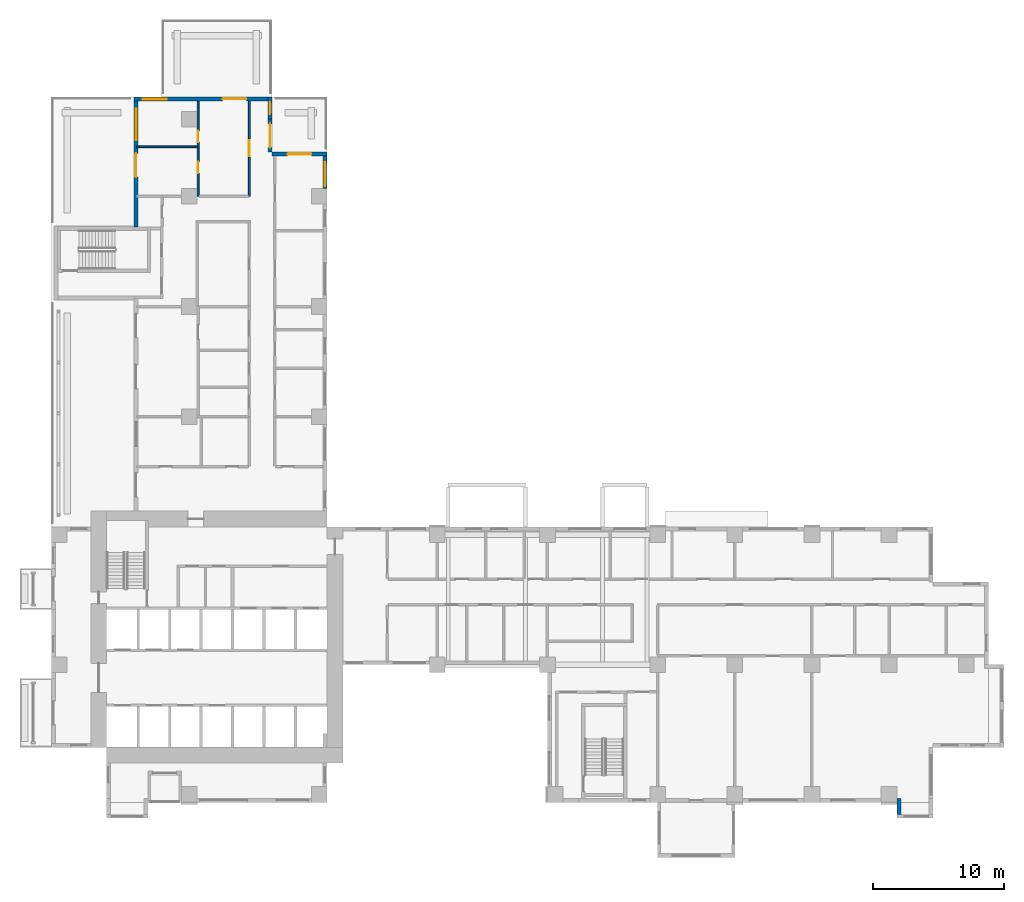
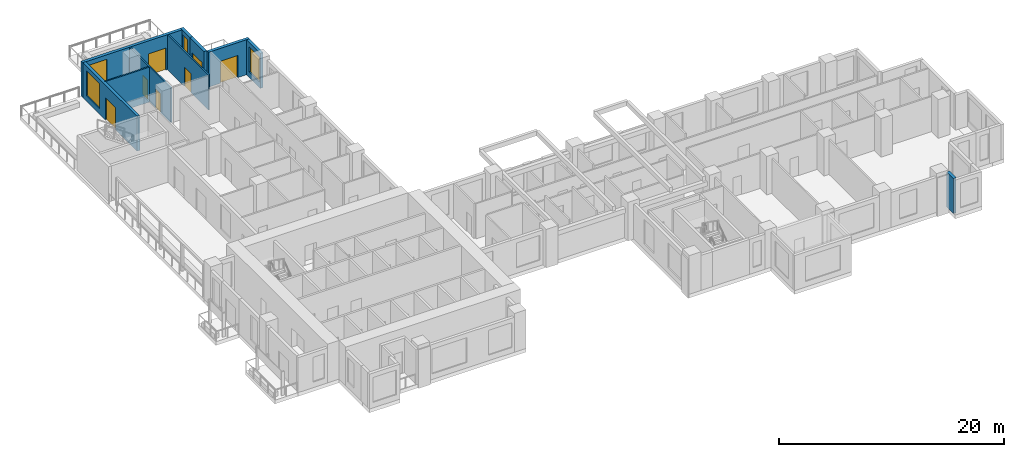
# One storey, part 11 of 18: 10 walls, 7 doors, 4 windows, 11 openings.
"""IFC4 building model written with IfcOpenShell, lengths in metres."""

from ifc_helpers import new_model, si_unit, direction, frame, frame_2d, origin, place, context, subcontext, project, spatial, rectangle, extrude, source, transform, mapped, material, layer, layer_set, type_object, element, fill, save


model = new_model("IFC4")

# Units and contexts
model_context = context("Model", 3, precision=1e-05, world=origin(), true_north=direction((0.0, 1.0)))
body_context = subcontext(model_context, "Body", "Model", "MODEL_VIEW")
ifc_project = project(units=[si_unit("LENGTHUNIT", "METRE"), si_unit("AREAUNIT", "SQUARE_METRE"), si_unit("VOLUMEUNIT", "CUBIC_METRE"), si_unit("PLANEANGLEUNIT", "RADIAN"), si_unit("MASSUNIT", "GRAM", prefix="KILO")], contexts=[model_context])

# Site, building, storey
site_placement = place(None, origin())
site = spatial("IfcSite", under=ifc_project, at=site_placement, CompositionType="ELEMENT")
building_placement = place(site_placement, origin())
building = spatial("IfcBuilding", under=site, at=building_placement, Name="Aurelian Terraces", CompositionType="ELEMENT")
storey_placement = place(building_placement, frame((0.0, 0.0, 99.3)))
storey = spatial("IfcBuildingStorey", under=building, at=storey_placement, Name="L21", CompositionType="ELEMENT", Elevation=99.3)

# Wall, openings, door, window
ifc_material_1 = material(Name="Terracotta rainscreen cladding", Category="masonry")
ifc_layer_1 = layer(ifc_material_1, 0.3)
ifc_layer_set_1 = layer_set([ifc_layer_1], Name="EW-300")
wall_type_1 = type_object("IfcWallType", Name="EW-300", PredefinedType="STANDARD", material=ifc_layer_set_1)
wall_1_placement = place(storey_placement, frame((16.8, 53.61, 0.0), z_axis=(0.0, 0.0, 1.0), x_axis=(-1.0, 0.0, 0.0)))
wall_1 = element("IfcWall", 1, at=wall_1_placement, inside=storey, type_object=wall_type_1, Name="External wall L21 F15.30", PredefinedType="STANDARD", context=body_context, shape_type="SweptSolid", body=[
    extrude(rectangle(XDim=10.5, YDim=0.3, at=frame_2d((5.25, 0.0))), origin(), (0.0, 0.0, 1.0), 3.8),
])
shared_shape_1 = source(origin(), body_context, "Body", "SweptSolid", [
    extrude(rectangle(XDim=1.8, YDim=2.4, at=frame_2d((0.9, 1.2))), frame((0.0, 0.16, 0.0), z_axis=(0.0, -1.0, 0.0), x_axis=(1.0, 0.0, 0.0)), (0.0, 0.0, 1.0), 0.32),
])
opening_1_placement = place(wall_1_placement, frame((1.95, 0.0, 0.0)))
opening_1 = element("IfcOpeningElement", 2, at=opening_1_placement, cuts=wall_1, Name="Opening 82104", PredefinedType="OPENING", context=body_context, shape_type="MappedRepresentation", body=[
    mapped(shared_shape_1, transform((0.0, 0.0, 0.0), scale=1.0)),
])
shared_shape_2 = source(origin(), body_context, "Body", "SweptSolid", [
    extrude(rectangle(XDim=1.8, YDim=2.7, at=frame_2d((0.9, 1.35))), frame((0.0, 0.16, 0.0), z_axis=(0.0, -1.0, 0.0), x_axis=(1.0, 0.0, 0.0)), (0.0, 0.0, 1.0), 0.32),
])
opening_2_placement = place(wall_1_placement, frame((8.025, 0.0, 0.6)))
opening_2 = element("IfcOpeningElement", 3, at=opening_2_placement, cuts=wall_1, Name="Opening W1827", PredefinedType="OPENING", context=body_context, shape_type="MappedRepresentation", body=[
    mapped(shared_shape_2, transform((0.0, 0.0, 0.0), scale=1.0)),
])
ifc_material_2 = material(Name="Clear glazing", Category="glass")
door_type_1 = type_object("IfcDoorType", Name="BD-1800x2400", OperationType="SLIDING_TO_LEFT", PredefinedType="DOOR", material=ifc_material_2)
shared_shape_3 = source(origin(), body_context, "Body", "SweptSolid", [
    extrude(rectangle(XDim=1.8, YDim=2.4, at=frame_2d((0.9, 1.2))), frame((0.0, 0.025, 0.0), z_axis=(0.0, -1.0, 0.0), x_axis=(1.0, 0.0, 0.0)), (0.0, 0.0, 1.0), 0.05),
])
door_1_placement = place(opening_1_placement, origin())
door_1 = element("IfcDoor", 4, at=door_1_placement, inside=storey, type_object=door_type_1, Name="Terrace door L21 L21-F15-30.1", OperationType="SLIDING_TO_LEFT", OverallHeight=2.4, OverallWidth=1.8, PredefinedType="DOOR", context=body_context, shape_type="MappedRepresentation", body=[
    mapped(shared_shape_3, transform((0.0, 0.0, 0.0), scale=1.0)),
])
fill(opening_1, door_1)
window_type_1 = type_object("IfcWindowType", Name="W-1800x2700", PartitioningType="SINGLE_PANEL", PredefinedType="WINDOW", material=ifc_material_2)
shared_shape_4 = source(origin(), body_context, "Body", "SweptSolid", [
    extrude(rectangle(XDim=1.8, YDim=2.7, at=frame_2d((0.9, 1.35))), frame((0.0, 0.03, 0.0), z_axis=(0.0, -1.0, 0.0), x_axis=(1.0, 0.0, 0.0)), (0.0, 0.0, 1.0), 0.06),
])
window_1_placement = place(opening_2_placement, origin())
window_1 = element("IfcWindow", 5, at=window_1_placement, inside=storey, type_object=window_type_1, Name="Window L21 L21-F15-30-2", OverallHeight=2.7, OverallWidth=1.8, PartitioningType="SINGLE_PANEL", PredefinedType="WINDOW", context=body_context, shape_type="MappedRepresentation", body=[
    mapped(shared_shape_4, transform((0.0, 0.0, 0.0), scale=1.0)),
])
fill(opening_2, window_1)

wall_2_placement = place(storey_placement, frame((6.45, 53.76, 0.0), z_axis=(0.0, 0.0, 1.0), x_axis=(0.0, -1.0, 0.0)))
wall_2 = element("IfcWall", 6, at=wall_2_placement, inside=storey, type_object=wall_type_1, Name="External wall L21 F16.31", PredefinedType="STANDARD", context=body_context, shape_type="SweptSolid", body=[
    extrude(rectangle(XDim=9.91, YDim=0.3, at=frame_2d((4.955, 0.0))), origin(), (0.0, 0.0, 1.0), 3.8),
])
opening_3_placement = place(wall_2_placement, frame((4.29, 0.0, 0.0)))
opening_3 = element("IfcOpeningElement", 7, at=opening_3_placement, cuts=wall_2, Name="Opening 82105", PredefinedType="OPENING", context=body_context, shape_type="MappedRepresentation", body=[
    mapped(shared_shape_1, transform((0.0, 0.0, 0.0), scale=1.0)),
])
shared_shape_5 = source(origin(), body_context, "Body", "SweptSolid", [
    extrude(rectangle(XDim=2.4, YDim=2.7, at=frame_2d((1.2, 1.35))), frame((0.0, 0.16, 0.0), z_axis=(0.0, -1.0, 0.0), x_axis=(1.0, 0.0, 0.0)), (0.0, 0.0, 1.0), 0.32),
])
opening_4_placement = place(wall_2_placement, frame((0.895, 0.0, 0.6)))
opening_4 = element("IfcOpeningElement", 8, at=opening_4_placement, cuts=wall_2, Name="Opening W2427", PredefinedType="OPENING", context=body_context, shape_type="MappedRepresentation", body=[
    mapped(shared_shape_5, transform((0.0, 0.0, 0.0), scale=1.0)),
])
door_2_placement = place(opening_3_placement, origin())
door_2 = element("IfcDoor", 9, at=door_2_placement, inside=storey, type_object=door_type_1, Name="Terrace door L21 L21-F16-31.2", OperationType="SLIDING_TO_LEFT", OverallHeight=2.4, OverallWidth=1.8, PredefinedType="DOOR", context=body_context, shape_type="MappedRepresentation", body=[
    mapped(shared_shape_3, transform((0.0, 0.0, 0.0), scale=1.0)),
])
fill(opening_3, door_2)
window_type_2 = type_object("IfcWindowType", Name="W-2400x2700", PartitioningType="SINGLE_PANEL", PredefinedType="WINDOW", material=ifc_material_2)
shared_shape_6 = source(origin(), body_context, "Body", "SweptSolid", [
    extrude(rectangle(XDim=2.4, YDim=2.7, at=frame_2d((1.2, 1.35))), frame((0.0, 0.03, 0.0), z_axis=(0.0, -1.0, 0.0), x_axis=(1.0, 0.0, 0.0)), (0.0, 0.0, 1.0), 0.06),
])
window_2_placement = place(opening_4_placement, origin())
window_2 = element("IfcWindow", 10, at=window_2_placement, inside=storey, type_object=window_type_2, Name="Window L21 L21-F16-31-G0-0", OverallHeight=2.7, OverallWidth=2.4, PartitioningType="SINGLE_PANEL", PredefinedType="WINDOW", context=body_context, shape_type="MappedRepresentation", body=[
    mapped(shared_shape_6, transform((0.0, 0.0, 0.0), scale=1.0)),
])
fill(opening_4, window_2)

# Wall
ifc_material_3 = material(Name="Gypsum board on steel studs", Category="steel")
ifc_layer_2 = layer(ifc_material_3, 0.15)
ifc_layer_set_2 = layer_set([ifc_layer_2], Name="Partition 150")
wall_type_2 = type_object("IfcWallType", Name="Partition 150", PredefinedType="PARTITIONING", material=ifc_layer_set_2)
wall_3_placement = place(storey_placement, frame((11.1, 49.98, 0.0), z_axis=(0.0, 0.0, 1.0), x_axis=(-1.0, 0.0, 0.0)))
element("IfcWall", 11, at=wall_3_placement, inside=storey, type_object=wall_type_2, Name="Partition", PredefinedType="PARTITIONING", context=body_context, shape_type="SweptSolid", body=[
    extrude(rectangle(XDim=4.595, YDim=0.15, at=frame_2d((2.2975, 0.0))), origin(), (0.0, 0.0, 1.0), 3.8),
])

# Wall, openings, doors
wall_4_placement = place(storey_placement, frame((11.175, 46.2, 0.0), z_axis=(0.0, 0.0, 1.0), x_axis=(0.0, 1.0, 0.0)))
wall_4 = element("IfcWall", 12, at=wall_4_placement, inside=storey, type_object=wall_type_2, Name="Partition", PredefinedType="PARTITIONING", context=body_context, shape_type="SweptSolid", body=[
    extrude(rectangle(XDim=7.26, YDim=0.15, at=frame_2d((3.63, 0.0))), origin(), (0.0, 0.0, 1.0), 3.8),
])
shared_shape_7 = source(origin(), body_context, "Body", "SweptSolid", [
    extrude(rectangle(XDim=0.9, YDim=2.1, at=frame_2d((0.45, 1.05))), frame((0.0, 0.085, 0.0), z_axis=(0.0, -1.0, 0.0), x_axis=(1.0, 0.0, 0.0)), (0.0, 0.0, 1.0), 0.17),
])
opening_5_placement = place(wall_4_placement, frame((1.7525, 0.0, 0.0)))
opening_5 = element("IfcOpeningElement", 13, at=opening_5_placement, cuts=wall_4, Name="Opening 721034", PredefinedType="OPENING", context=body_context, shape_type="MappedRepresentation", body=[
    mapped(shared_shape_7, transform((0.0, 0.0, 0.0), scale=1.0)),
])
opening_6_placement = place(wall_4_placement, frame((4.1175, 0.0, 0.0)))
opening_6 = element("IfcOpeningElement", 14, at=opening_6_placement, cuts=wall_4, Name="Opening 721035", PredefinedType="OPENING", context=body_context, shape_type="MappedRepresentation", body=[
    mapped(shared_shape_7, transform((0.0, 0.0, 0.0), scale=1.0)),
])
ifc_material_4 = material(Name="Timber door leaf", Category="wood")
door_type_2 = type_object("IfcDoorType", Name="Room door 900x2100 left", OperationType="SINGLE_SWING_LEFT", PredefinedType="DOOR", material=ifc_material_4)
shared_shape_8 = source(origin(), body_context, "Body", "SweptSolid", [
    extrude(rectangle(XDim=0.9, YDim=2.1, at=frame_2d((0.45, 1.05))), frame((0.0, 0.025, 0.0), z_axis=(0.0, -1.0, 0.0), x_axis=(1.0, 0.0, 0.0)), (0.0, 0.0, 1.0), 0.05),
])
door_3_placement = place(opening_5_placement, origin())
door_3 = element("IfcDoor", 15, at=door_3_placement, inside=storey, type_object=door_type_2, Name="Door 721034", OperationType="SINGLE_SWING_LEFT", OverallHeight=2.1, OverallWidth=0.9, PredefinedType="DOOR", context=body_context, shape_type="MappedRepresentation", body=[
    mapped(shared_shape_8, transform((0.0, 0.0, 0.0), scale=1.0)),
])
fill(opening_5, door_3)
door_type_3 = type_object("IfcDoorType", Name="Room door 900x2100 right", OperationType="SINGLE_SWING_RIGHT", PredefinedType="DOOR", material=ifc_material_4)
door_4_placement = place(opening_6_placement, origin())
door_4 = element("IfcDoor", 16, at=door_4_placement, inside=storey, type_object=door_type_3, Name="Door 721035", OperationType="SINGLE_SWING_RIGHT", OverallHeight=2.1, OverallWidth=0.9, PredefinedType="DOOR", context=body_context, shape_type="MappedRepresentation", body=[
    mapped(shared_shape_8, transform((0.0, 0.0, 0.0), scale=1.0)),
])
fill(opening_6, door_4)

# Wall, opening, door
shared_shape_9 = source(origin(), body_context, "Body", "SweptSolid", [
    extrude(rectangle(XDim=4.2, YDim=0.3, at=frame_2d((2.1, 0.0))), origin(), (0.0, 0.0, 1.0), 3.8),
])
wall_5_placement = place(storey_placement, frame((21.0, 49.41, 0.0), z_axis=(0.0, 0.0, 1.0), x_axis=(-1.0, 0.0, 0.0)))
wall_5 = element("IfcWall", 17, at=wall_5_placement, inside=storey, type_object=wall_type_1, Name="External wall L21 F13.27", PredefinedType="STANDARD", context=body_context, shape_type="MappedRepresentation", body=[
    mapped(shared_shape_9, transform((0.0, 0.0, 0.0), scale=1.0)),
])
opening_7_placement = place(wall_5_placement, frame((1.2, 0.0, 0.0)))
opening_7 = element("IfcOpeningElement", 18, at=opening_7_placement, cuts=wall_5, Name="Opening 82102", PredefinedType="OPENING", context=body_context, shape_type="MappedRepresentation", body=[
    mapped(shared_shape_1, transform((0.0, 0.0, 0.0), scale=1.0)),
])
door_5_placement = place(opening_7_placement, origin())
door_5 = element("IfcDoor", 19, at=door_5_placement, inside=storey, type_object=door_type_1, Name="Terrace door L21 L21-F13-27.1", OperationType="SLIDING_TO_LEFT", OverallHeight=2.4, OverallWidth=1.8, PredefinedType="DOOR", context=body_context, shape_type="MappedRepresentation", body=[
    mapped(shared_shape_3, transform((0.0, 0.0, 0.0), scale=1.0)),
])
fill(opening_7, door_5)

# Wall, opening, window
shared_shape_10 = source(origin(), body_context, "Body", "SweptSolid", [
    extrude(rectangle(XDim=2.76, YDim=0.3, at=frame_2d((1.38, 0.0))), origin(), (0.0, 0.0, 1.0), 3.8),
])
wall_6_placement = place(storey_placement, frame((20.85, 46.8, 0.0), z_axis=(0.0, 0.0, 1.0), x_axis=(0.0, 1.0, 0.0)))
wall_6 = element("IfcWall", 20, at=wall_6_placement, inside=storey, type_object=wall_type_1, Name="External wall L21 F12.26", PredefinedType="STANDARD", context=body_context, shape_type="MappedRepresentation", body=[
    mapped(shared_shape_10, transform((0.0, 0.0, 0.0), scale=1.0)),
])
opening_8_placement = place(wall_6_placement, frame((0.18, 0.0, 0.6)))
opening_8 = element("IfcOpeningElement", 21, at=opening_8_placement, cuts=wall_6, Name="Opening W1827", PredefinedType="OPENING", context=body_context, shape_type="MappedRepresentation", body=[
    mapped(shared_shape_2, transform((0.0, 0.0, 0.0), scale=1.0)),
])
window_3_placement = place(opening_8_placement, origin())
window_3 = element("IfcWindow", 22, at=window_3_placement, inside=storey, type_object=window_type_1, Name="Window L21 L21-F12-26-0", OverallHeight=2.7, OverallWidth=1.8, PartitioningType="SINGLE_PANEL", PredefinedType="WINDOW", context=body_context, shape_type="MappedRepresentation", body=[
    mapped(shared_shape_4, transform((0.0, 0.0, 0.0), scale=1.0)),
])
fill(opening_8, window_3)

# Wall
shared_shape_11 = source(origin(), body_context, "Body", "SweptSolid", [
    extrude(rectangle(XDim=1.2, YDim=0.3, at=frame_2d((0.6, 0.0))), origin(), (0.0, 0.0, 1.0), 3.8),
])
wall_7_placement = place(storey_placement, frame((64.59, 0.3, 0.0), z_axis=(0.0, 0.0, 1.0), x_axis=(0.0, -1.0, 0.0)))
element("IfcWall", 23, at=wall_7_placement, inside=storey, type_object=wall_type_1, Name="Bay return L21 F05.13.1", PredefinedType="STANDARD", context=body_context, shape_type="MappedRepresentation", body=[
    mapped(shared_shape_11, transform((0.0, 0.0, 0.0), scale=1.0)),
])

# Wall, opening, door
shared_shape_12 = source(origin(), body_context, "Body", "SweptSolid", [
    extrude(rectangle(XDim=2.52, YDim=0.3, at=frame_2d((1.26, 0.0))), origin(), (0.0, 0.0, 1.0), 3.8),
])
wall_8_placement = place(storey_placement, frame((16.65, 49.56, 0.0), z_axis=(0.0, 0.0, 1.0), x_axis=(0.0, 1.0, 0.0)))
wall_8 = element("IfcWall", 24, at=wall_8_placement, inside=storey, type_object=wall_type_1, Name="External wall L21 F14.28", PredefinedType="STANDARD", context=body_context, shape_type="MappedRepresentation", body=[
    mapped(shared_shape_12, transform((0.0, 0.0, 0.0), scale=1.0)),
])
opening_9_placement = place(wall_8_placement, frame((0.36, 0.0, 0.0)))
opening_9 = element("IfcOpeningElement", 25, at=opening_9_placement, cuts=wall_8, Name="Opening 82103", PredefinedType="OPENING", context=body_context, shape_type="MappedRepresentation", body=[
    mapped(shared_shape_1, transform((0.0, 0.0, 0.0), scale=1.0)),
])
door_6_placement = place(opening_9_placement, origin())
door_6 = element("IfcDoor", 26, at=door_6_placement, inside=storey, type_object=door_type_1, Name="Terrace door L21 L21-F14-28.1", OperationType="SLIDING_TO_LEFT", OverallHeight=2.4, OverallWidth=1.8, PredefinedType="DOOR", context=body_context, shape_type="MappedRepresentation", body=[
    mapped(shared_shape_3, transform((0.0, 0.0, 0.0), scale=1.0)),
])
fill(opening_9, door_6)

# Wall, opening, window
shared_shape_13 = source(origin(), body_context, "Body", "SweptSolid", [
    extrude(rectangle(XDim=1.68, YDim=0.3, at=frame_2d((0.84, 0.0))), origin(), (0.0, 0.0, 1.0), 3.8),
])
wall_9_placement = place(storey_placement, frame((16.65, 52.08, 0.0), z_axis=(0.0, 0.0, 1.0), x_axis=(0.0, 1.0, 0.0)))
wall_9 = element("IfcWall", 27, at=wall_9_placement, inside=storey, type_object=wall_type_1, Name="External wall L21 F14.29", PredefinedType="STANDARD", context=body_context, shape_type="MappedRepresentation", body=[
    mapped(shared_shape_13, transform((0.0, 0.0, 0.0), scale=1.0)),
])
shared_shape_14 = source(origin(), body_context, "Body", "SweptSolid", [
    extrude(rectangle(XDim=0.9, YDim=2.7, at=frame_2d((0.45, 1.35))), frame((0.0, 0.16, 0.0), z_axis=(0.0, -1.0, 0.0), x_axis=(1.0, 0.0, 0.0)), (0.0, 0.0, 1.0), 0.32),
])
opening_10_placement = place(wall_9_placement, frame((0.39, 0.0, 0.6)))
opening_10 = element("IfcOpeningElement", 28, at=opening_10_placement, cuts=wall_9, Name="Opening W0927", PredefinedType="OPENING", context=body_context, shape_type="MappedRepresentation", body=[
    mapped(shared_shape_14, transform((0.0, 0.0, 0.0), scale=1.0)),
])
window_type_3 = type_object("IfcWindowType", Name="W-900x2700", PartitioningType="SINGLE_PANEL", PredefinedType="WINDOW", material=ifc_material_2)
shared_shape_15 = source(origin(), body_context, "Body", "SweptSolid", [
    extrude(rectangle(XDim=0.9, YDim=2.7, at=frame_2d((0.45, 1.35))), frame((0.0, 0.03, 0.0), z_axis=(0.0, -1.0, 0.0), x_axis=(1.0, 0.0, 0.0)), (0.0, 0.0, 1.0), 0.06),
])
window_4_placement = place(opening_10_placement, origin())
window_4 = element("IfcWindow", 29, at=window_4_placement, inside=storey, type_object=window_type_3, Name="Window L21 L21-F14-29-P0", OverallHeight=2.7, OverallWidth=0.9, PartitioningType="SINGLE_PANEL", PredefinedType="WINDOW", context=body_context, shape_type="MappedRepresentation", body=[
    mapped(shared_shape_15, transform((0.0, 0.0, 0.0), scale=1.0)),
])
fill(opening_10, window_4)

# Wall, opening, door
ifc_layer_3 = layer(ifc_material_3, 0.15)
ifc_layer_set_3 = layer_set([ifc_layer_3], Name="Fire partition 150")
wall_type_3 = type_object("IfcWallType", Name="Fire partition 150", PredefinedType="PARTITIONING", material=ifc_layer_set_3)
shared_shape_16 = source(origin(), body_context, "Body", "SweptSolid", [
    extrude(rectangle(XDim=7.26, YDim=0.15, at=frame_2d((3.63, 0.0))), origin(), (0.0, 0.0, 1.0), 3.8),
])
wall_10_placement = place(storey_placement, frame((15.075, 46.2, 0.0), z_axis=(0.0, 0.0, 1.0), x_axis=(0.0, 1.0, 0.0)))
wall_10 = element("IfcWall", 30, at=wall_10_placement, inside=storey, type_object=wall_type_3, Name="Corridor wall", PredefinedType="PARTITIONING", context=body_context, shape_type="MappedRepresentation", body=[
    mapped(shared_shape_16, transform((0.0, 0.0, 0.0), scale=1.0)),
])
shared_shape_17 = source(origin(), body_context, "Body", "SweptSolid", [
    extrude(rectangle(XDim=1.2, YDim=2.1, at=frame_2d((0.6, 1.05))), frame((0.0, 0.085, 0.0), z_axis=(0.0, -1.0, 0.0), x_axis=(1.0, 0.0, 0.0)), (0.0, 0.0, 1.0), 0.17),
])
opening_11_placement = place(wall_10_placement, frame((3.0675, 0.0, 0.0)))
opening_11 = element("IfcOpeningElement", 31, at=opening_11_placement, cuts=wall_10, Name="Opening 721033", PredefinedType="OPENING", context=body_context, shape_type="MappedRepresentation", body=[
    mapped(shared_shape_17, transform((0.0, 0.0, 0.0), scale=1.0)),
])
door_type_4 = type_object("IfcDoorType", Name="Room door 1200x2100 right", OperationType="SINGLE_SWING_RIGHT", PredefinedType="DOOR", material=ifc_material_4)
shared_shape_18 = source(origin(), body_context, "Body", "SweptSolid", [
    extrude(rectangle(XDim=1.2, YDim=2.1, at=frame_2d((0.6, 1.05))), frame((0.0, 0.025, 0.0), z_axis=(0.0, -1.0, 0.0), x_axis=(1.0, 0.0, 0.0)), (0.0, 0.0, 1.0), 0.05),
])
door_7_placement = place(opening_11_placement, origin())
door_7 = element("IfcDoor", 32, at=door_7_placement, inside=storey, type_object=door_type_4, Name="Door 721033", OperationType="SINGLE_SWING_RIGHT", OverallHeight=2.1, OverallWidth=1.2, PredefinedType="DOOR", context=body_context, shape_type="MappedRepresentation", body=[
    mapped(shared_shape_18, transform((0.0, 0.0, 0.0), scale=1.0)),
])
fill(opening_11, door_7)

save(model, "model.ifc")
